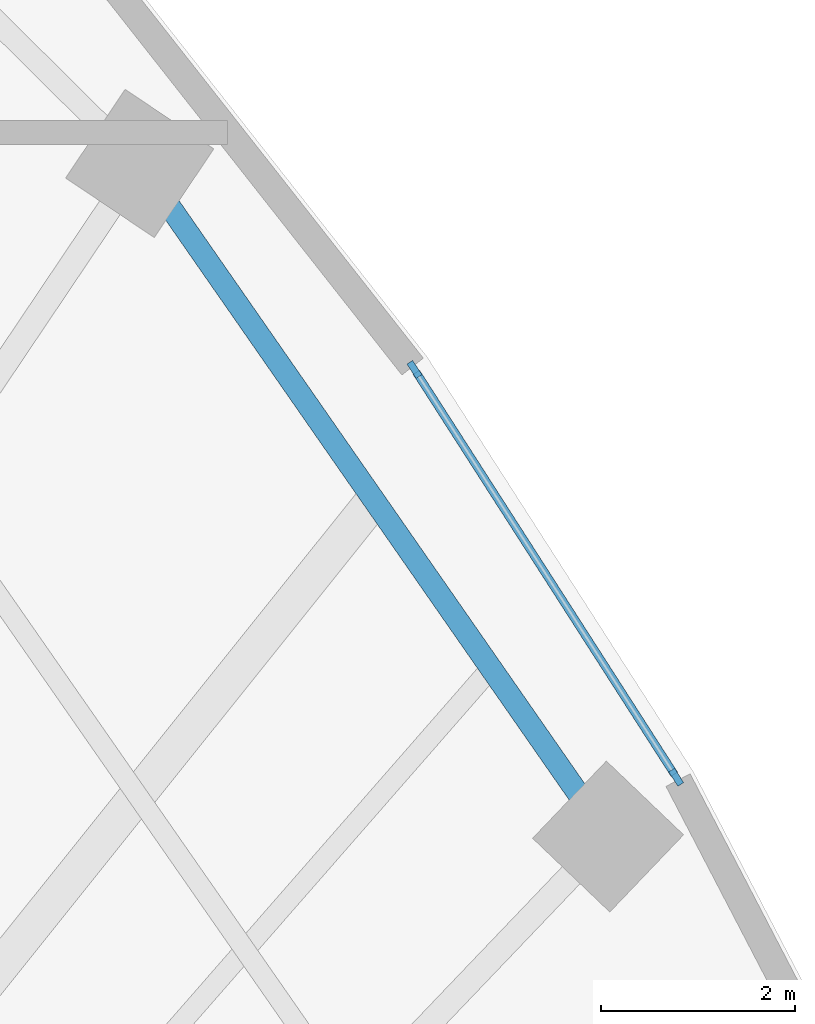
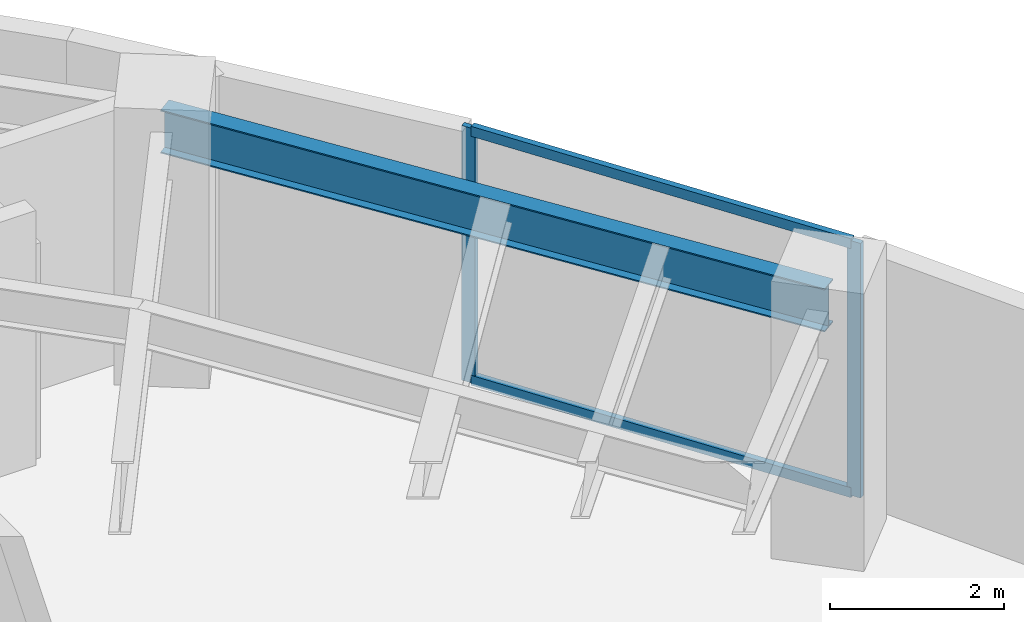
# One storey, part 6 of 13: 4 members, 1 beam, 1 element without a shape of its own.
"""IFC4 building model written with IfcOpenShell, lengths in metres."""

import ifcopenshell
import ifcopenshell.guid

model = None  # the IFC model being written
_history = None  # IfcOwnerHistory: only IFC2X3 demands one
_inside = {}  # id of a spatial element -> (the spatial element, [elements in it])
_under = {}  # id of a project, library or spatial element -> (it, [spatial elements below it])
_declared = {}  # id of a project -> (the project, [libraries it declares])
_typed = {}  # id of a type object -> (the type object, [elements of that type])
_made_of = {}  # id of a material, layer set ... -> (it, [elements and type objects made of it])


def new_model(schema):
    """Start an empty IFC model of exactly this schema.

    Asked for "IFC4X3", IfcOpenShell would pick the latest addendum, in which some entities
    have other attributes; the version numbers below select the first issue.
    IFC2X3 requires an IfcOwnerHistory on every rooted entity: one is made here for all.
    """
    global model, _history
    if schema == "IFC4X3":
        model = ifcopenshell.file(schema_version=(4, 3, 0, 0))
    else:
        model = ifcopenshell.file(schema=schema)
    _inside.clear()
    _under.clear()
    _declared.clear()
    _typed.clear()
    _made_of.clear()
    _history = None
    if model.schema == "IFC2X3":
        org = make("IfcOrganization", Name="unknown")
        user = make(
            "IfcPersonAndOrganization",
            ThePerson=make("IfcPerson", FamilyName="unknown"),
            TheOrganization=org,
        )
        app = make(
            "IfcApplication",
            ApplicationDeveloper=org,
            Version="unknown",
            ApplicationFullName="unknown",
            ApplicationIdentifier="unknown",
        )
        _history = make(
            "IfcOwnerHistory",
            OwningUser=user,
            OwningApplication=app,
            ChangeAction="ADDED",
            CreationDate=0,
        )
    return model


def make(cls, **values):
    """One entity of the class cls with the attributes given. An attribute that is None is left unset."""
    return model.create_entity(
        cls, **{name: value for name, value in values.items() if value is not None}
    )


def rooted(cls, **values):
    """An entity with a GlobalId (a new one), such as an element, a storey or a relation."""
    return make(cls, GlobalId=ifcopenshell.guid.new(), OwnerHistory=_history, **values)


def si_unit(unit_type, name, prefix=None):
    """IfcSIUnit, for example si_unit("LENGTHUNIT", "METRE", prefix="MILLI")."""
    return make("IfcSIUnit", UnitType=unit_type, Prefix=prefix, Name=name)


def assignment(units):
    """IfcUnitAssignment: the units of a project."""
    return None if units is None else make("IfcUnitAssignment", Units=units)


def point(xyz):
    """IfcCartesianPoint."""
    return None if xyz is None else make("IfcCartesianPoint", Coordinates=xyz)


def direction(xyz):
    """IfcDirection."""
    return None if xyz is None else make("IfcDirection", DirectionRatios=xyz)


def frame(location, z_axis=None, x_axis=None):
    """IfcAxis2Placement3D, a coordinate frame: its origin and axes. An axis left out is left unset."""
    return make(
        "IfcAxis2Placement3D",
        Location=point(location),
        Axis=direction(z_axis),
        RefDirection=direction(x_axis),
    )


def frame_2d(location, x_axis=None):
    """IfcAxis2Placement2D, a coordinate frame in the plane: its origin and x axis."""
    return make(
        "IfcAxis2Placement2D", Location=point(location), RefDirection=direction(x_axis)
    )


def origin():
    """The frame at (0, 0, 0) with its axes left unset."""
    return frame((0.0, 0.0, 0.0))


def origin_2d():
    """The frame at (0, 0) in the plane with its x axis left unset."""
    return frame_2d((0.0, 0.0))


def place(relative_to, where):
    """IfcLocalPlacement: puts the frame where relative to a parent placement (None: the world)."""
    return make(
        "IfcLocalPlacement", PlacementRelTo=relative_to, RelativePlacement=where
    )


def context(
    kind, dimensions, precision=None, world=None, true_north=None, identifier=None
):
    """IfcGeometricRepresentationContext, for example the 3D "Model" context."""
    return make(
        "IfcGeometricRepresentationContext",
        ContextIdentifier=identifier,
        ContextType=kind,
        CoordinateSpaceDimension=dimensions,
        Precision=precision,
        WorldCoordinateSystem=world,
        TrueNorth=true_north,
    )


def subcontext(parent, identifier, kind, view, scale=None):
    """IfcGeometricRepresentationSubContext, for example "Body" below "Model"."""
    return make(
        "IfcGeometricRepresentationSubContext",
        ContextIdentifier=identifier,
        ContextType=kind,
        ParentContext=parent,
        TargetScale=scale,
        TargetView=view,
    )


def project(units=None, contexts=None):
    """IfcProject with its units and contexts."""
    return rooted(
        "IfcProject",
        Name="project",
        RepresentationContexts=contexts,
        UnitsInContext=assignment(units),
    )


def spatial(cls, under=None, at=None, **own):
    """A site, building, storey or space (cls), placed at a placement, below another one or the project."""
    s = rooted(cls, ObjectPlacement=at, **own)
    if under is not None:
        _under.setdefault(under.id(), (under, []))[1].append(s)
    return s


def profile(cls, at=None, kind="AREA", **sizes):
    """A parametric profile (cls). Its sizes go by their IFC names, for example OverallWidth=200.0."""
    return make(cls, ProfileType=kind, Position=at, **sizes)


def rectangle(**sizes):
    """IfcRectangleProfileDef."""
    return profile("IfcRectangleProfileDef", **sizes)


def i_section(**sizes):
    """IfcIShapeProfileDef."""
    return profile("IfcIShapeProfileDef", **sizes)


def extrude(swept, where, along, depth):
    """IfcExtrudedAreaSolid: the profile swept, set in the frame where, extruded along a direction by depth."""
    return make(
        "IfcExtrudedAreaSolid",
        SweptArea=swept,
        Position=where,
        ExtrudedDirection=direction(along),
        Depth=depth,
    )


def shape(context_of_items, identifier, shape_type, items):
    """IfcShapeRepresentation: the items that make up one representation, for example the "Body"."""
    return make(
        "IfcShapeRepresentation",
        ContextOfItems=context_of_items,
        RepresentationIdentifier=identifier,
        RepresentationType=shape_type,
        Items=items,
    )


def source(mapping_origin, context_of_items, identifier, shape_type, items):
    """IfcRepresentationMap: a shape defined once, which mapped items show again and again."""
    return make(
        "IfcRepresentationMap",
        MappingOrigin=mapping_origin,
        MappedRepresentation=shape(context_of_items, identifier, shape_type, items),
    )


def transform(
    local_origin,
    x_axis=None,
    y_axis=None,
    z_axis=None,
    scale=None,
    scale2=None,
    scale3=None,
    uniform=True,
):
    """IfcCartesianTransformationOperator3D, or its non-uniform kind. x_axis, y_axis, z_axis: its Axis1, 2, 3."""
    if uniform:
        return make(
            "IfcCartesianTransformationOperator3D",
            Axis1=direction(x_axis),
            Axis2=direction(y_axis),
            LocalOrigin=point(local_origin),
            Scale=scale,
            Axis3=direction(z_axis),
        )
    return make(
        "IfcCartesianTransformationOperator3DnonUniform",
        Axis1=direction(x_axis),
        Axis2=direction(y_axis),
        LocalOrigin=point(local_origin),
        Scale=scale,
        Axis3=direction(z_axis),
        Scale2=scale2,
        Scale3=scale3,
    )


def mapped(mapping_source, mapping_target):
    """IfcMappedItem: shows the shape of a source again, moved by a transform."""
    return make(
        "IfcMappedItem", MappingSource=mapping_source, MappingTarget=mapping_target
    )


def material(Name=None, Category=None):
    """IfcMaterial."""
    return make("IfcMaterial", Name=Name, Category=Category)


def layer(
    of_material, thickness, ventilated=None, Name=None, Category=None, Priority=None
):
    """IfcMaterialLayer: one layer of a wall or slab, of a material (None: an air gap)."""
    return make(
        "IfcMaterialLayer",
        Material=of_material,
        LayerThickness=thickness,
        IsVentilated=ventilated,
        Name=Name,
        Category=Category,
        Priority=Priority,
    )


def layer_set(layers, Name=None):
    """IfcMaterialLayerSet."""
    return make("IfcMaterialLayerSet", MaterialLayers=layers, LayerSetName=Name)


def material_profile(
    of_material, cross_section, Name=None, Category=None, Priority=None
):
    """IfcMaterialProfile: a cross section and its material."""
    return make(
        "IfcMaterialProfile",
        Name=Name,
        Material=of_material,
        Profile=cross_section,
        Priority=Priority,
        Category=Category,
    )


def profile_set(profiles, Name=None, composite=None):
    """IfcMaterialProfileSet."""
    return make(
        "IfcMaterialProfileSet",
        Name=Name,
        MaterialProfiles=profiles,
        CompositeProfile=composite,
    )


def made_of(thing, what):
    """Note that an element or type object is made of a material, layer set ...; save() writes the relation."""
    if what is not None:
        _made_of.setdefault(what.id(), (what, []))[1].append(thing)
    return thing


def type_object(cls, material=None, **own):
    """A type object (cls), such as IfcWallType, which elements share."""
    return made_of(rooted(cls, **own), material)


def element(
    cls,
    number,
    at=None,
    inside=None,
    cuts=None,
    type_object=None,
    material=None,
    context=None,
    identifier="Body",
    shape_type=None,
    held_by="IfcProductDefinitionShape",
    body=None,
    shapes=None,
    **own,
):
    """One element of the class cls, such as IfcWall. Its Tag is "e" and its number.

    at: its placement. inside: the storey or other place that contains it. cuts: it is an
    opening in that element (IfcRelVoidsElement). A single representation is given by context,
    identifier, shape_type and body (its items); several are given by shapes. held_by: the class
    of the entity that holds the representations. save() writes the other relations.
    """
    e = rooted(cls, Tag="e%d" % number, ObjectPlacement=at, **own)
    if body is not None:
        shapes = [shape(context, identifier, shape_type, body)]
    if shapes is not None:
        e.Representation = make(held_by, Representations=shapes)
    if inside is not None:
        _inside.setdefault(inside.id(), (inside, []))[1].append(e)
    if cuts is not None:
        rooted(
            "IfcRelVoidsElement", RelatingBuildingElement=cuts, RelatedOpeningElement=e
        )
    if type_object is not None:
        _typed.setdefault(type_object.id(), (type_object, []))[1].append(e)
    return made_of(e, material)


def aggregate(whole, parts):
    """IfcRelAggregates: a whole, such as a stair, and the parts it consists of."""
    return rooted("IfcRelAggregates", RelatingObject=whole, RelatedObjects=parts)


def save(model, path):
    """Write the relations noted so far, then the file.

    IfcRelAggregates (storeys below a building ...), IfcRelContainedInSpatialStructure (elements
    in a storey), IfcRelDefinesByType, IfcRelAssociatesMaterial and IfcRelDeclares: one each for
    every whole, place, type object, material and project.
    """
    for whole, parts in _under.values():
        aggregate(whole, parts)
    for where, things in _inside.values():
        rooted(
            "IfcRelContainedInSpatialStructure",
            RelatedElements=things,
            RelatingStructure=where,
        )
    for kind, things in _typed.values():
        rooted("IfcRelDefinesByType", RelatedObjects=things, RelatingType=kind)
    for what, things in _made_of.values():
        rooted("IfcRelAssociatesMaterial", RelatedObjects=things, RelatingMaterial=what)
    for by, libraries in _declared.values():
        rooted("IfcRelDeclares", RelatingContext=by, RelatedDefinitions=libraries)
    model.write(path)


model = new_model("IFC4")

# Units and contexts
model_context = context("Model", 3, precision=1e-05, world=origin(), true_north=direction((0.0, 1.0)))
body_context = subcontext(model_context, "Body", "Model", "MODEL_VIEW")
ifc_project = project(units=[si_unit("LENGTHUNIT", "METRE"), si_unit("AREAUNIT", "SQUARE_METRE"), si_unit("VOLUMEUNIT", "CUBIC_METRE"), si_unit("PLANEANGLEUNIT", "RADIAN"), si_unit("MASSUNIT", "GRAM", prefix="KILO")], contexts=[model_context])

# Site, building, storey
site_placement = place(None, origin())
site = spatial("IfcSite", under=ifc_project, at=site_placement, CompositionType="ELEMENT")
building_placement = place(site_placement, origin())
building = spatial("IfcBuilding", under=site, at=building_placement, Name="Breltana Convention Tower", CompositionType="ELEMENT")
storey_placement = place(building_placement, frame((0.0, 0.0, 185.699951171875)))
storey = spatial("IfcBuildingStorey", under=building, at=storey_placement, Name="L45", CompositionType="ELEMENT", Elevation=185.699951171875)

# Beam
ifc_material_1 = material(Name="Steel ASTM A992 Grade 50", Category="steel")
ifc_material_profile_1 = material_profile(ifc_material_1, i_section(OverallWidth=0.22802734375, OverallDepth=0.60791015625, WebThickness=0.01123046875, FlangeThickness=0.017333984375, at=origin_2d()), Name="W24X76")
ifc_profile_set_1 = profile_set([ifc_material_profile_1], Name="Steel ASTM A992 Grade 50")
beam_type = type_object("IfcBeamType", Name="BM-SP-W24X76", PredefinedType="SPANDREL", material=ifc_profile_set_1)
shared_shape_1 = source(origin(), body_context, "Body", "SweptSolid", [
    extrude(i_section(OverallWidth=0.22802734375, OverallDepth=0.60791015625, WebThickness=0.01123046875, FlangeThickness=0.017333984375, at=origin_2d()), origin(), (0.0, 0.0, 1.0), 8.44970703125),
])
beam_placement = place(storey_placement, frame((75.166748046875, 62.43017578125, 3.276123046875), z_axis=(0.5711855381, -0.820820979913, 0.0), x_axis=(0.820820979913, 0.5711855381, 0.0)))
element("IfcBeam", 1, at=beam_placement, inside=storey, type_object=beam_type, Name="L45 Outer Spandrel Beam 10", PredefinedType="SPANDREL", context=body_context, shape_type="MappedRepresentation", body=[
    mapped(shared_shape_1, transform((0.0, 0.0, 0.0), scale=1.0)),
])

# Curtain wall, members
ifc_material_2 = material(Name="Aluminium Anodised Bronze Frame", Category="aluminium")
ifc_layer = layer(ifc_material_2, 0.2099609375, Name="Aluminium Anodised Bronze Frame")
ifc_layer_set = layer_set([ifc_layer], Name="Aluminium Anodised Bronze Frame")
curtain_wall_type = type_object("IfcCurtainWallType", Name="CW-SYS-3", PredefinedType="NOTDEFINED", material=ifc_layer_set)
curtain_wall_placement = place(storey_placement, origin())
curtain_wall = element("IfcCurtainWall", 2, at=curtain_wall_placement, inside=storey, type_object=curtain_wall_type, Name="L45 outer double-skin inner glazing 5", PredefinedType="NOTDEFINED")
ifc_material_3 = material(Name="Aluminium Anodised Bronze", Category="aluminium")
ifc_material_profile_2 = material_profile(ifc_material_3, rectangle(XDim=0.080078125, YDim=0.139892578125, at=origin_2d()), Name="CWT-80X140")
ifc_profile_set_2 = profile_set([ifc_material_profile_2], Name="Aluminium Anodised Bronze")
member_type_1 = type_object("IfcMemberType", Name="CWT-140", PredefinedType="USERDEFINED", material=ifc_profile_set_2)
shared_shape_2 = source(origin(), body_context, "Body", "SweptSolid", [
    extrude(rectangle(XDim=0.080078125, YDim=0.139892578125, at=origin_2d()), origin(), (0.0, 0.0, 1.0), 4.924560546875),
])
member_1_placement = place(storey_placement, frame((78.0166015625, 60.27880859375, 0.0400390625), z_axis=(0.540178660563, -0.841550363717, 0.0), x_axis=(0.841550363717, 0.540178660563, 0.0)))
member_1 = element("IfcMember", 3, at=member_1_placement, type_object=member_type_1, Name="CW-03 transom 1.1", ObjectType="TRANSOM", PredefinedType="USERDEFINED", context=body_context, shape_type="MappedRepresentation", body=[
    mapped(shared_shape_2, transform((0.0, 0.0, 0.0), scale=1.0)),
])
member_2_placement = place(storey_placement, frame((78.0166015625, 60.27880859375, 3.5400390625), z_axis=(0.540178660563, -0.841550363717, 0.0), x_axis=(0.841550363717, 0.540178660563, 0.0)))
member_2 = element("IfcMember", 4, at=member_2_placement, type_object=member_type_1, Name="CW-03 transom 1.2", ObjectType="TRANSOM", PredefinedType="USERDEFINED", context=body_context, shape_type="MappedRepresentation", body=[
    mapped(shared_shape_2, transform((0.0, 0.0, 0.0), scale=1.0)),
])
ifc_material_profile_3 = material_profile(ifc_material_3, rectangle(XDim=0.070068359375, YDim=0.175048828125, at=origin_2d()), Name="CWM-70X175")
ifc_profile_set_3 = profile_set([ifc_material_profile_3], Name="Aluminium Anodised Bronze")
member_type_2 = type_object("IfcMemberType", Name="CWM-175", PredefinedType="MULLION", material=ifc_profile_set_3)
shared_shape_3 = source(origin(), body_context, "Body", "SweptSolid", [
    extrude(rectangle(XDim=0.070068359375, YDim=0.175048828125, at=origin_2d()), origin(), (0.0, 0.0, 1.0), 3.580078125),
])
member_3_placement = place(storey_placement, frame((77.99755859375, 60.308349609375, 0.0), z_axis=(0.0, 0.0, 1.0), x_axis=(0.841554203529, 0.54017267843, 0.0)))
member_3 = element("IfcMember", 5, at=member_3_placement, type_object=member_type_2, Name="CW-03 mullion 1", PredefinedType="MULLION", context=body_context, shape_type="MappedRepresentation", body=[
    mapped(shared_shape_3, transform((0.0, 0.0, 0.0), scale=1.0)),
])
member_4_placement = place(storey_placement, frame((80.695556640625, 56.10498046875, 0.0), z_axis=(0.0, 0.0, 1.0), x_axis=(0.841554203529, 0.54017267843, 0.0)))
member_4 = element("IfcMember", 6, at=member_4_placement, type_object=member_type_2, Name="CW-03 mullion 2", PredefinedType="MULLION", context=body_context, shape_type="MappedRepresentation", body=[
    mapped(shared_shape_3, transform((0.0, 0.0, 0.0), scale=1.0)),
])
aggregate(curtain_wall, [member_3, member_4, member_1, member_2])

save(model, "model.ifc")
